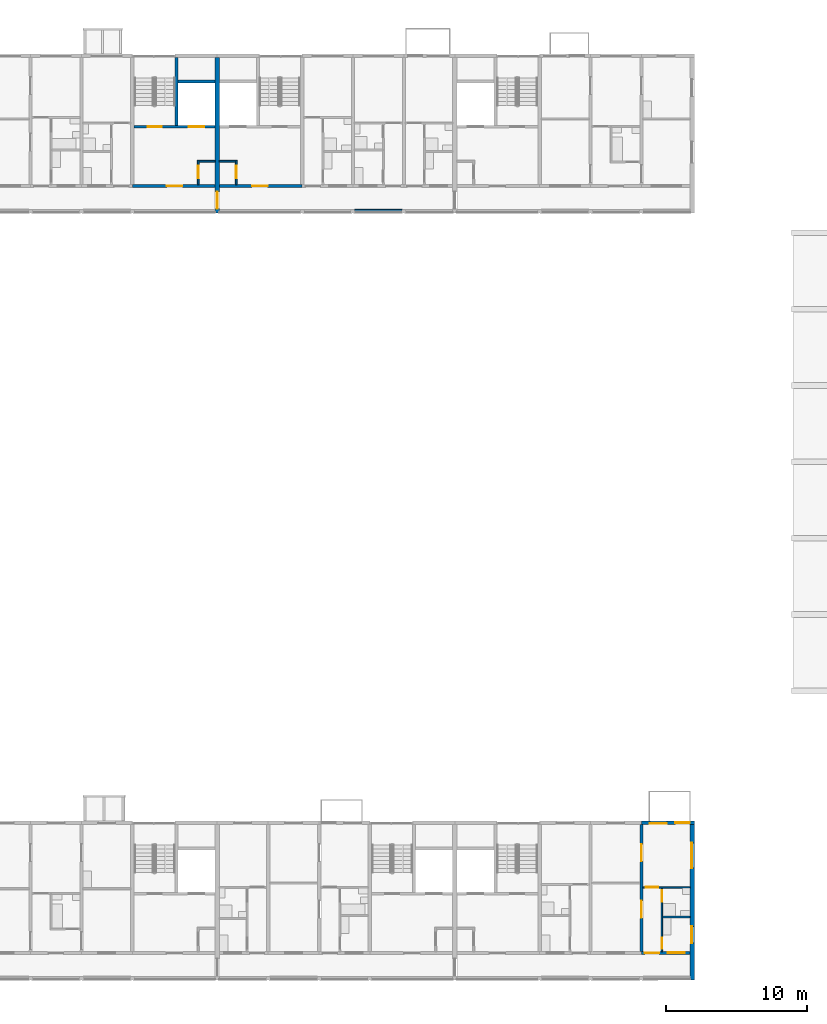
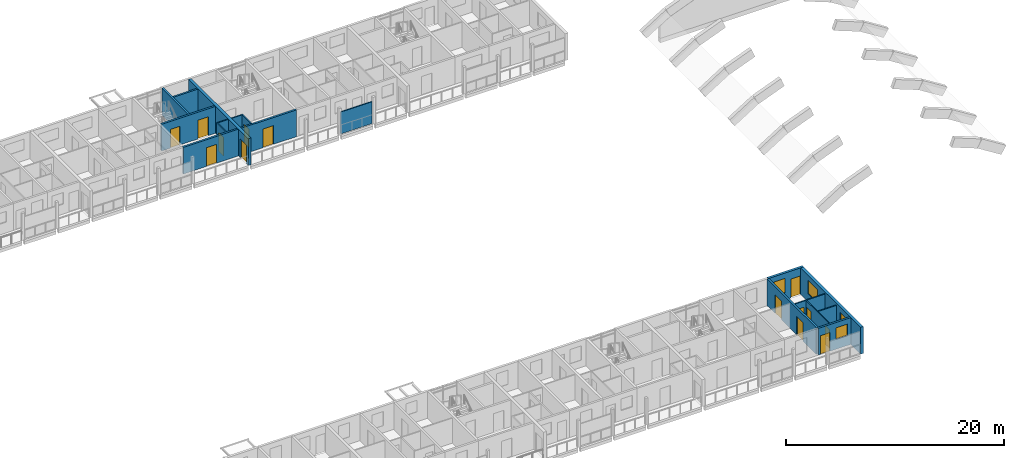
# One storey, part 39 of 99: 18 walls, 14 doors, 4 windows, 18 openings.
"""IFC4 building model written with IfcOpenShell, lengths in metres."""

from ifc_helpers import new_model, si_unit, direction, frame, frame_2d, origin, place, context, subcontext, project, spatial, rectangle, extrude, material, layer, layer_set, type_object, element, fill, save


model = new_model("IFC4")

# Units and contexts
model_context = context("Model", 3, precision=1e-05, world=origin(), true_north=direction((0.0, 1.0)))
body_context = subcontext(model_context, "Body", "Model", "MODEL_VIEW")
ifc_project = project(units=[si_unit("LENGTHUNIT", "METRE"), si_unit("AREAUNIT", "SQUARE_METRE"), si_unit("VOLUMEUNIT", "CUBIC_METRE"), si_unit("PLANEANGLEUNIT", "RADIAN"), si_unit("MASSUNIT", "GRAM", prefix="KILO")], contexts=[model_context])

# Site, building, storey
site_placement = place(None, origin())
site = spatial("IfcSite", under=ifc_project, at=site_placement, CompositionType="ELEMENT")
building_placement = place(site_placement, origin())
building = spatial("IfcBuilding", under=site, at=building_placement, Name="Ridgestep Commons", CompositionType="ELEMENT")
storey_placement = place(building_placement, frame((0.0, 0.0, 15.0)))
storey = spatial("IfcBuildingStorey", under=building, at=storey_placement, Name="L05", CompositionType="ELEMENT", Elevation=15.0)

# Wall, opening, door
ifc_material_1 = material(Name="Concrete C30/37", Category="concrete")
ifc_layer_1 = layer(ifc_material_1, 0.199951171875)
ifc_layer_set_1 = layer_set([ifc_layer_1], Name="Core south wall 200")
wall_type_1 = type_object("IfcWallType", Name="Core south wall 200", PredefinedType="SHEAR", material=ifc_layer_set_1)
wall_1_placement = place(storey_placement, frame((73.199951171875, 67.89990234375, 0.0), z_axis=(0.0, 0.0, 1.0), x_axis=(1.0, 0.0, 0.0)))
wall_1 = element("IfcWall", 1, at=wall_1_placement, inside=storey, type_object=wall_type_1, Name="Core south wall B4C L05", PredefinedType="SHEAR", context=body_context, shape_type="SweptSolid", body=[
    extrude(rectangle(XDim=5.85009765625, YDim=0.199951171875, at=frame_2d((2.925048828125, 0.0))), origin(), (0.0, 0.0, 1.0), 3.0),
])
opening_1_placement = place(wall_1_placement, frame((2.4375, 0.0, 0.0)))
opening_1 = element("IfcOpeningElement", 2, at=opening_1_placement, cuts=wall_1, Name="Opening B4C/05/1", PredefinedType="OPENING", context=body_context, shape_type="SweptSolid", body=[
    extrude(rectangle(XDim=1.10009765625, YDim=2.10009765625, at=frame_2d((0.550048828125, 1.050048828125))), frame((0.0, 0.10986328125, 0.0), z_axis=(0.0, -1.0, 0.0), x_axis=(1.0, 0.0, 0.0)), (0.0, 0.0, 1.0), 0.219970703125),
])
ifc_material_2 = material(Name="Steel fire door", Category="steel")
door_type_1 = type_object("IfcDoorType", Name="Lobby door 1100 x 2100 FD60", OperationType="NOTDEFINED", PredefinedType="DOOR", material=ifc_material_2)
door_1_placement = place(opening_1_placement, origin())
door_1 = element("IfcDoor", 3, at=door_1_placement, inside=storey, type_object=door_type_1, Name="Lobby door B4C/05/1", OperationType="SINGLE_SWING_LEFT", OverallHeight=2.10009765625, OverallWidth=1.10009765625, PredefinedType="DOOR", context=body_context, shape_type="SweptSolid", body=[
    extrude(rectangle(XDim=1.10009765625, YDim=2.10009765625, at=frame_2d((0.550048828125, 1.050048828125))), frame((0.0, 0.02490234375, 0.0), z_axis=(0.0, -1.0, 0.0), x_axis=(1.0, 0.0, 0.0)), (0.0, 0.0, 1.0), 0.050048828125),
])
fill(opening_1, door_1)

wall_2_placement = place(storey_placement, frame((79.35009765625, 67.89990234375, 0.0), z_axis=(0.0, 0.0, 1.0), x_axis=(1.0, 0.0, 0.0)))
wall_2 = element("IfcWall", 4, at=wall_2_placement, inside=storey, type_object=wall_type_1, Name="Core south wall B5C L05", PredefinedType="SHEAR", context=body_context, shape_type="SweptSolid", body=[
    extrude(rectangle(XDim=5.849853515625, YDim=0.199951171875, at=frame_2d((2.9248046875, 0.0))), origin(), (0.0, 0.0, 1.0), 3.0),
])
opening_2_placement = place(wall_2_placement, frame((2.3125, 0.0, 0.0)))
opening_2 = element("IfcOpeningElement", 5, at=opening_2_placement, cuts=wall_2, Name="Opening B5C/05/1", PredefinedType="OPENING", context=body_context, shape_type="SweptSolid", body=[
    extrude(rectangle(XDim=1.10009765625, YDim=2.10009765625, at=frame_2d((0.550048828125, 1.050048828125))), frame((0.0, 0.10986328125, 0.0), z_axis=(0.0, -1.0, 0.0), x_axis=(1.0, 0.0, 0.0)), (0.0, 0.0, 1.0), 0.219970703125),
])
door_2_placement = place(opening_2_placement, origin())
door_2 = element("IfcDoor", 6, at=door_2_placement, inside=storey, type_object=door_type_1, Name="Lobby door B5C/05/1", OperationType="SINGLE_SWING_LEFT", OverallHeight=2.10009765625, OverallWidth=1.10009765625, PredefinedType="DOOR", context=body_context, shape_type="SweptSolid", body=[
    extrude(rectangle(XDim=1.10009765625, YDim=2.10009765625, at=frame_2d((0.550048828125, 1.050048828125))), frame((0.0, 0.02490234375, 0.0), z_axis=(0.0, -1.0, 0.0), x_axis=(1.0, 0.0, 0.0)), (0.0, 0.0, 1.0), 0.050048828125),
])
fill(opening_2, door_2)

ifc_material_3 = material(Name="Concrete C30/37", Category="concrete")
ifc_layer_2 = layer(ifc_material_3, 0.1201171875)
ifc_layer_set_2 = layer_set([ifc_layer_2], Name="Core wall 120")
wall_type_2 = type_object("IfcWallType", Name="Core wall 120", PredefinedType="SHEAR", material=ifc_layer_set_2)
wall_3_placement = place(storey_placement, frame((77.860107421875, 68.0, 0.0), z_axis=(0.0, 0.0, 1.0), x_axis=(0.0, 1.0, 0.0)))
wall_3 = element("IfcWall", 7, at=wall_3_placement, inside=storey, type_object=wall_type_2, Name="Core riser w wall B4C L05", PredefinedType="SHEAR", context=body_context, shape_type="SweptSolid", body=[
    extrude(rectangle(XDim=1.719970703125, YDim=0.1201171875, at=frame_2d((0.85986328125, 0.0))), origin(), (0.0, 0.0, 1.0), 3.0),
])
opening_3_placement = place(wall_3_placement, frame((0.449951171875, 0.0, 0.0)))
opening_3 = element("IfcOpeningElement", 8, at=opening_3_placement, cuts=wall_3, Name="Opening B4C/05/4", PredefinedType="OPENING", context=body_context, shape_type="SweptSolid", body=[
    extrude(rectangle(XDim=0.89990234375, YDim=2.10009765625, at=frame_2d((0.449951171875, 1.050048828125))), frame((0.0, 0.070068359375, 0.0), z_axis=(0.0, -1.0, 0.0), x_axis=(1.0, 0.0, 0.0)), (0.0, 0.0, 1.0), 0.14013671875),
])
ifc_material_4 = material(Name="Steel fire door", Category="steel")
door_type_2 = type_object("IfcDoorType", Name="Riser door 900 x 2100 FD60", OperationType="NOTDEFINED", PredefinedType="DOOR", material=ifc_material_4)
door_3_placement = place(opening_3_placement, origin())
door_3 = element("IfcDoor", 9, at=door_3_placement, inside=storey, type_object=door_type_2, Name="Riser door B4C/05/4", OperationType="SINGLE_SWING_LEFT", OverallHeight=2.10009765625, OverallWidth=0.89990234375, PredefinedType="DOOR", context=body_context, shape_type="SweptSolid", body=[
    extrude(rectangle(XDim=0.89990234375, YDim=2.10009765625, at=frame_2d((0.449951171875, 1.050048828125))), frame((0.0, 0.02490234375, 0.0), z_axis=(0.0, -1.0, 0.0), x_axis=(1.0, 0.0, 0.0)), (0.0, 0.0, 1.0), 0.050048828125),
])
fill(opening_3, door_3)

# Wall
wall_4_placement = place(storey_placement, frame((77.919921875, 69.659912109375, 0.0), z_axis=(0.0, 0.0, 1.0), x_axis=(1.0, 0.0, 0.0)))
element("IfcWall", 10, at=wall_4_placement, inside=storey, type_object=wall_type_2, Name="Core riser n wall B4C L05", PredefinedType="SHEAR", context=body_context, shape_type="SweptSolid", body=[
    extrude(rectangle(XDim=1.130126953125, YDim=0.1201171875, at=frame_2d((0.56494140625, 0.0))), origin(), (0.0, 0.0, 1.0), 3.0),
])

# Wall, opening, door
wall_5_placement = place(storey_placement, frame((80.5400390625, 68.0, 0.0), z_axis=(0.0, 0.0, 1.0), x_axis=(0.0, 1.0, 0.0)))
wall_5 = element("IfcWall", 11, at=wall_5_placement, inside=storey, type_object=wall_type_2, Name="Core riser w wall B5C L05", PredefinedType="SHEAR", context=body_context, shape_type="SweptSolid", body=[
    extrude(rectangle(XDim=1.719970703125, YDim=0.1201171875, at=frame_2d((0.85986328125, 0.0))), origin(), (0.0, 0.0, 1.0), 3.0),
])
opening_4_placement = place(wall_5_placement, frame((0.449951171875, 0.0, 0.0)))
opening_4 = element("IfcOpeningElement", 12, at=opening_4_placement, cuts=wall_5, Name="Opening B5C/05/4", PredefinedType="OPENING", context=body_context, shape_type="SweptSolid", body=[
    extrude(rectangle(XDim=0.89990234375, YDim=2.10009765625, at=frame_2d((0.449951171875, 1.050048828125))), frame((0.0, 0.070068359375, 0.0), z_axis=(0.0, -1.0, 0.0), x_axis=(1.0, 0.0, 0.0)), (0.0, 0.0, 1.0), 0.14013671875),
])
door_4_placement = place(opening_4_placement, origin())
door_4 = element("IfcDoor", 13, at=door_4_placement, inside=storey, type_object=door_type_2, Name="Riser door B5C/05/4", OperationType="SINGLE_SWING_RIGHT", OverallHeight=2.10009765625, OverallWidth=0.89990234375, PredefinedType="DOOR", context=body_context, shape_type="SweptSolid", body=[
    extrude(rectangle(XDim=0.89990234375, YDim=2.10009765625, at=frame_2d((0.449951171875, 1.050048828125))), frame((0.0, 0.02490234375, 0.0), z_axis=(0.0, -1.0, 0.0), x_axis=(1.0, 0.0, 0.0)), (0.0, 0.0, 1.0), 0.050048828125),
])
fill(opening_4, door_4)

# Wall
wall_6_placement = place(storey_placement, frame((79.35009765625, 69.659912109375, 0.0), z_axis=(0.0, 0.0, 1.0), x_axis=(1.0, 0.0, 0.0)))
element("IfcWall", 14, at=wall_6_placement, inside=storey, type_object=wall_type_2, Name="Core riser n wall B5C L05", PredefinedType="SHEAR", context=body_context, shape_type="SweptSolid", body=[
    extrude(rectangle(XDim=1.1298828125, YDim=0.1201171875, at=frame_2d((0.56494140625, 0.0))), origin(), (0.0, 0.0, 1.0), 3.0),
])

# Wall, openings, doors
ifc_material_5 = material(Name="Concrete C30/37", Category="concrete")
ifc_layer_3 = layer(ifc_material_5, 0.199951171875)
ifc_layer_set_3 = layer_set([ifc_layer_3], Name="Core wall 200")
wall_type_3 = type_object("IfcWallType", Name="Core wall 200", PredefinedType="SHEAR", material=ifc_layer_set_3)
wall_7_placement = place(storey_placement, frame((73.324951171875, 72.10009765625, 0.0), z_axis=(0.0, 0.0, 1.0), x_axis=(1.0, 0.0, 0.0)))
wall_7 = element("IfcWall", 15, at=wall_7_placement, inside=storey, type_object=wall_type_3, Name="Core lobby wall B4C L05", PredefinedType="SHEAR", context=body_context, shape_type="SweptSolid", body=[
    extrude(rectangle(XDim=5.72509765625, YDim=0.199951171875, at=frame_2d((2.862548828125, 0.0))), origin(), (0.0, 0.0, 1.0), 3.0),
])
opening_5_placement = place(wall_7_placement, frame((0.949951171875, 0.0, 0.0)))
opening_5 = element("IfcOpeningElement", 16, at=opening_5_placement, cuts=wall_7, Name="Opening B4C/05/2", PredefinedType="OPENING", context=body_context, shape_type="SweptSolid", body=[
    extrude(rectangle(XDim=1.0, YDim=2.10009765625, at=frame_2d((0.5, 1.050048828125))), frame((0.0, 0.10986328125, 0.0), z_axis=(0.0, -1.0, 0.0), x_axis=(1.0, 0.0, 0.0)), (0.0, 0.0, 1.0), 0.219970703125),
])
opening_6_placement = place(wall_7_placement, frame((3.862548828125, 0.0, 0.0)))
opening_6 = element("IfcOpeningElement", 17, at=opening_6_placement, cuts=wall_7, Name="Opening B4C/05/3", PredefinedType="OPENING", context=body_context, shape_type="SweptSolid", body=[
    extrude(rectangle(XDim=1.10009765625, YDim=2.10009765625, at=frame_2d((0.550048828125, 1.050048828125))), frame((0.0, 0.10986328125, 0.0), z_axis=(0.0, -1.0, 0.0), x_axis=(1.0, 0.0, 0.0)), (0.0, 0.0, 1.0), 0.219970703125),
])
ifc_material_6 = material(Name="Stainless steel", Category="steel")
door_type_3 = type_object("IfcDoorType", Name="Lift landing door 1100 x 2100 FD60", OperationType="DOUBLE_DOOR_SLIDING", PredefinedType="DOOR", material=ifc_material_6)
door_5_placement = place(opening_6_placement, origin())
door_5 = element("IfcDoor", 18, at=door_5_placement, inside=storey, type_object=door_type_3, Name="Landing door LD B4C L05", OperationType="DOUBLE_DOOR_SLIDING", OverallHeight=2.10009765625, OverallWidth=1.10009765625, PredefinedType="DOOR", context=body_context, shape_type="SweptSolid", body=[
    extrude(rectangle(XDim=1.10009765625, YDim=2.10009765625, at=frame_2d((0.550048828125, 1.050048828125))), frame((0.0, 0.02490234375, 0.0), z_axis=(0.0, -1.0, 0.0), x_axis=(1.0, 0.0, 0.0)), (0.0, 0.0, 1.0), 0.050048828125),
])
fill(opening_6, door_5)
ifc_material_7 = material(Name="Steel fire door", Category="steel")
door_type_4 = type_object("IfcDoorType", Name="Stair door 1000 x 2100 FD60", OperationType="NOTDEFINED", PredefinedType="DOOR", material=ifc_material_7)
door_6_placement = place(opening_5_placement, origin())
door_6 = element("IfcDoor", 19, at=door_6_placement, inside=storey, type_object=door_type_4, Name="Stair door B4C/05/2", OperationType="SINGLE_SWING_RIGHT", OverallHeight=2.10009765625, OverallWidth=1.0, PredefinedType="DOOR", context=body_context, shape_type="SweptSolid", body=[
    extrude(rectangle(XDim=1.0, YDim=2.10009765625, at=frame_2d((0.5, 1.050048828125))), frame((0.0, 0.02490234375, 0.0), z_axis=(0.0, -1.0, 0.0), x_axis=(1.0, 0.0, 0.0)), (0.0, 0.0, 1.0), 0.050048828125),
])
fill(opening_5, door_6)

# Walls
wall_8_placement = place(storey_placement, frame((76.324951171875, 72.199951171875, 0.0), z_axis=(0.0, 0.0, 1.0), x_axis=(0.0, 1.0, 0.0)))
element("IfcWall", 20, at=wall_8_placement, inside=storey, type_object=wall_type_3, Name="Core stair wall B4C L05", PredefinedType="SHEAR", context=body_context, shape_type="SweptSolid", body=[
    extrude(rectangle(XDim=4.800048828125, YDim=0.199951171875, at=frame_2d((2.39990234375, 0.0))), origin(), (0.0, 0.0, 1.0), 3.0),
])
wall_9_placement = place(storey_placement, frame((76.425048828125, 75.300048828125, 0.0), z_axis=(0.0, 0.0, 1.0), x_axis=(1.0, 0.0, 0.0)))
element("IfcWall", 21, at=wall_9_placement, inside=storey, type_object=wall_type_3, Name="Core duct wall B4C L05", PredefinedType="SHEAR", context=body_context, shape_type="SweptSolid", body=[
    extrude(rectangle(XDim=2.625, YDim=0.199951171875, at=frame_2d((1.3125, 0.0))), origin(), (0.0, 0.0, 1.0), 3.0),
])

# Wall, openings, doors
ifc_material_8 = material(Name="Precast concrete C40/50", Category="concrete")
ifc_layer_4 = layer(ifc_material_8, 0.199951171875)
ifc_layer_set_4 = layer_set([ifc_layer_4], Name="Cross wall 200")
wall_type_4 = type_object("IfcWallType", Name="Cross wall 200", PredefinedType="SHEAR", material=ifc_layer_set_4)
wall_10_placement = place(storey_placement, frame((109.199951171875, 13.75, 0.0), z_axis=(0.0, 0.0, 1.0), x_axis=(0.0, 1.0, 0.0)))
wall_10 = element("IfcWall", 22, at=wall_10_placement, inside=storey, type_object=wall_type_4, Name="Cross wall A-05-1092", PredefinedType="SHEAR", context=body_context, shape_type="SweptSolid", body=[
    extrude(rectangle(XDim=9.0, YDim=0.199951171875, at=frame_2d((4.5, 0.0))), origin(), (0.0, 0.0, 1.0), 3.0),
])
opening_7_placement = place(wall_10_placement, frame((2.39990234375, 0.0, 0.0)))
opening_7 = element("IfcOpeningElement", 23, at=opening_7_placement, cuts=wall_10, Name="Opening A6-05a/5", PredefinedType="OPENING", context=body_context, shape_type="SweptSolid", body=[
    extrude(rectangle(XDim=1.199951171875, YDim=2.10009765625, at=frame_2d((0.60009765625, 1.050048828125))), frame((0.0, 0.10986328125, 0.0), z_axis=(0.0, -1.0, 0.0), x_axis=(1.0, 0.0, 0.0)), (0.0, 0.0, 1.0), 0.219970703125),
])
opening_8_placement = place(wall_10_placement, frame((6.39990234375, 0.0, 0.0)))
opening_8 = element("IfcOpeningElement", 24, at=opening_8_placement, cuts=wall_10, Name="Opening A6-05a/6", PredefinedType="OPENING", context=body_context, shape_type="SweptSolid", body=[
    extrude(rectangle(XDim=1.199951171875, YDim=2.10009765625, at=frame_2d((0.60009765625, 1.050048828125))), frame((0.0, 0.10986328125, 0.0), z_axis=(0.0, -1.0, 0.0), x_axis=(1.0, 0.0, 0.0)), (0.0, 0.0, 1.0), 0.219970703125),
])
ifc_material_9 = material(Name="Timber door leaf", Category="wood")
door_type_5 = type_object("IfcDoorType", Name="Double door 1200 x 2100", OperationType="DOUBLE_DOOR_SINGLE_SWING", PredefinedType="DOOR", material=ifc_material_9)
door_7_placement = place(opening_7_placement, origin())
door_7 = element("IfcDoor", 25, at=door_7_placement, inside=storey, type_object=door_type_5, Name="Double door A6-05a/5", OperationType="DOUBLE_DOOR_SINGLE_SWING", OverallHeight=2.10009765625, OverallWidth=1.199951171875, PredefinedType="DOOR", context=body_context, shape_type="SweptSolid", body=[
    extrude(rectangle(XDim=1.199951171875, YDim=2.10009765625, at=frame_2d((0.60009765625, 1.050048828125))), frame((0.0, 0.02490234375, 0.0), z_axis=(0.0, -1.0, 0.0), x_axis=(1.0, 0.0, 0.0)), (0.0, 0.0, 1.0), 0.050048828125),
])
fill(opening_7, door_7)
door_8_placement = place(opening_8_placement, origin())
door_8 = element("IfcDoor", 26, at=door_8_placement, inside=storey, type_object=door_type_5, Name="Double door A6-05a/6", OperationType="DOUBLE_DOOR_SINGLE_SWING", OverallHeight=2.10009765625, OverallWidth=1.199951171875, PredefinedType="DOOR", context=body_context, shape_type="SweptSolid", body=[
    extrude(rectangle(XDim=1.199951171875, YDim=2.10009765625, at=frame_2d((0.60009765625, 1.050048828125))), frame((0.0, 0.02490234375, 0.0), z_axis=(0.0, -1.0, 0.0), x_axis=(1.0, 0.0, 0.0)), (0.0, 0.0, 1.0), 0.050048828125),
])
fill(opening_8, door_8)

# Wall, opening, door
ifc_material_10 = material(Name="Precast concrete C40/50", Category="concrete")
ifc_layer_5 = layer(ifc_material_10, 0.300048828125)
ifc_layer_set_5 = layer_set([ifc_layer_5], Name="Division wall 300")
wall_type_5 = type_object("IfcWallType", Name="Division wall 300", PredefinedType="SHEAR", material=ifc_layer_set_5)
wall_11_placement = place(storey_placement, frame((79.199951171875, 66.0, 0.0), z_axis=(0.0, 0.0, 1.0), x_axis=(0.0, 1.0, 0.0)))
wall_11 = element("IfcWall", 27, at=wall_11_placement, inside=storey, type_object=wall_type_5, Name="Cross wall B-05-0792", PredefinedType="SHEAR", context=body_context, shape_type="SweptSolid", body=[
    extrude(rectangle(XDim=11.0, YDim=0.300048828125, at=frame_2d((5.5, 0.0))), origin(), (0.0, 0.0, 1.0), 3.0),
])
opening_9_placement = place(wall_11_placement, frame((0.300048828125, 0.0, 0.0)))
opening_9 = element("IfcOpeningElement", 28, at=opening_9_placement, cuts=wall_11, Name="Opening B/05/G0792", PredefinedType="OPENING", context=body_context, shape_type="SweptSolid", body=[
    extrude(rectangle(XDim=1.199951171875, YDim=2.10009765625, at=frame_2d((0.60009765625, 1.050048828125))), frame((0.0, 0.159912109375, 0.0), z_axis=(0.0, -1.0, 0.0), x_axis=(1.0, 0.0, 0.0)), (0.0, 0.0, 1.0), 0.320068359375),
])
ifc_material_11 = material(Name="Steel fire door", Category="steel")
door_type_6 = type_object("IfcDoorType", Name="Division fire door 1200 x 2100 EI 240", OperationType="DOUBLE_DOOR_SINGLE_SWING", PredefinedType="DOOR", material=ifc_material_11)
door_9_placement = place(opening_9_placement, origin())
door_9 = element("IfcDoor", 29, at=door_9_placement, inside=storey, type_object=door_type_6, Name="Division fire door B/05/G0792", OperationType="DOUBLE_DOOR_SINGLE_SWING", OverallHeight=2.10009765625, OverallWidth=1.199951171875, PredefinedType="DOOR", context=body_context, shape_type="SweptSolid", body=[
    extrude(rectangle(XDim=1.199951171875, YDim=2.10009765625, at=frame_2d((0.60009765625, 1.050048828125))), frame((0.0, 0.02490234375, 0.0), z_axis=(0.0, -1.0, 0.0), x_axis=(1.0, 0.0, 0.0)), (0.0, 0.0, 1.0), 0.050048828125),
])
fill(opening_9, door_9)

# Wall, openings, windows
ifc_material_12 = material(Name="Precast concrete C40/50", Category="concrete")
ifc_layer_6 = layer(ifc_material_12, 0.300048828125)
ifc_layer_set_6 = layer_set([ifc_layer_6], Name="Exposed division wall 300")
wall_type_6 = type_object("IfcWallType", Name="Exposed division wall 300", PredefinedType="SHEAR", material=ifc_layer_set_6)
wall_12_placement = place(storey_placement, frame((112.800048828125, 11.75, 0.0), z_axis=(0.0, 0.0, 1.0), x_axis=(0.0, 1.0, 0.0)))
wall_12 = element("IfcWall", 30, at=wall_12_placement, inside=storey, type_object=wall_type_6, Name="Cross wall A-05-1128", PredefinedType="SHEAR", context=body_context, shape_type="SweptSolid", body=[
    extrude(rectangle(XDim=11.0, YDim=0.300048828125, at=frame_2d((5.5, 0.0))), origin(), (0.0, 0.0, 1.0), 3.0),
])
opening_10_placement = place(wall_12_placement, frame((2.60009765625, 0.0, 0.89990234375)))
opening_10 = element("IfcOpeningElement", 31, at=opening_10_placement, cuts=wall_12, Name="Opening W10", PredefinedType="OPENING", context=body_context, shape_type="SweptSolid", body=[
    extrude(rectangle(XDim=1.199951171875, YDim=1.5, at=frame_2d((0.60009765625, 0.75))), frame((0.0, 0.159912109375, 0.0), z_axis=(0.0, -1.0, 0.0), x_axis=(1.0, 0.0, 0.0)), (0.0, 0.0, 1.0), 0.320068359375),
])
opening_11_placement = place(wall_12_placement, frame((7.905029296875, 0.0, 0.89990234375)))
opening_11 = element("IfcOpeningElement", 32, at=opening_11_placement, cuts=wall_12, Name="Opening W20", PredefinedType="OPENING", context=body_context, shape_type="SweptSolid", body=[
    extrude(rectangle(XDim=1.800048828125, YDim=1.5, at=frame_2d((0.89990234375, 0.75))), frame((0.0, 0.159912109375, 0.0), z_axis=(0.0, -1.0, 0.0), x_axis=(1.0, 0.0, 0.0)), (0.0, 0.0, 1.0), 0.320068359375),
])
ifc_material_13 = material(Name="Aluminium 6063-T6 and glass", Category="aluminium")
window_type_1 = type_object("IfcWindowType", Name="Flat window 1200 x 1500", PartitioningType="SINGLE_PANEL", PredefinedType="WINDOW", material=ifc_material_13)
window_1_placement = place(opening_10_placement, origin())
window_1 = element("IfcWindow", 33, at=window_1_placement, inside=storey, type_object=window_type_1, Name="Window A6-05a 5", OverallHeight=1.5, OverallWidth=1.199951171875, PartitioningType="SINGLE_PANEL", PredefinedType="WINDOW", context=body_context, shape_type="SweptSolid", body=[
    extrude(rectangle(XDim=1.199951171875, YDim=1.5, at=frame_2d((0.60009765625, 0.75))), frame((0.0, 0.06005859375, 0.0), z_axis=(0.0, -1.0, 0.0), x_axis=(1.0, 0.0, 0.0)), (0.0, 0.0, 1.0), 0.06005859375),
])
fill(opening_10, window_1)
ifc_material_14 = material(Name="Aluminium 6063-T6 and glass", Category="aluminium")
window_type_2 = type_object("IfcWindowType", Name="Flat window 1800 x 1500", PartitioningType="DOUBLE_PANEL_VERTICAL", PredefinedType="WINDOW", material=ifc_material_14)
window_2_placement = place(opening_11_placement, origin())
window_2 = element("IfcWindow", 34, at=window_2_placement, inside=storey, type_object=window_type_2, Name="Window A6-05a 6", OverallHeight=1.5, OverallWidth=1.800048828125, PartitioningType="SINGLE_PANEL", PredefinedType="WINDOW", context=body_context, shape_type="SweptSolid", body=[
    extrude(rectangle(XDim=1.800048828125, YDim=1.5, at=frame_2d((0.89990234375, 0.75))), frame((0.0, 0.06005859375, 0.0), z_axis=(0.0, -1.0, 0.0), x_axis=(1.0, 0.0, 0.0)), (0.0, 0.0, 1.0), 0.06005859375),
])
fill(opening_11, window_2)

# Wall, openings, door, window
ifc_material_15 = material(Name="Precast concrete C40/50", Category="concrete")
ifc_layer_7 = layer(ifc_material_15, 0.25)
ifc_layer_set_7 = layer_set([ifc_layer_7], Name="North facade panel 250")
wall_type_7 = type_object("IfcWallType", Name="North facade panel 250", PredefinedType="SOLIDWALL", material=ifc_layer_set_7)
wall_13_placement = place(storey_placement, frame((109.199951171875, 22.875, 0.0), z_axis=(0.0, 0.0, 1.0), x_axis=(1.0, 0.0, 0.0)))
wall_13 = element("IfcWall", 35, at=wall_13_placement, inside=storey, type_object=wall_type_7, Name="North panel A6T1 L05", PredefinedType="SOLIDWALL", context=body_context, shape_type="SweptSolid", body=[
    extrude(rectangle(XDim=3.75, YDim=0.25, at=frame_2d((1.875, 0.0))), origin(), (0.0, 0.0, 1.0), 3.0),
])
opening_12_placement = place(wall_13_placement, frame((0.603515625, 0.0, 0.800048828125)))
opening_12 = element("IfcOpeningElement", 36, at=opening_12_placement, cuts=wall_13, Name="Opening W11", PredefinedType="OPENING", context=body_context, shape_type="SweptSolid", body=[
    extrude(rectangle(XDim=1.199951171875, YDim=1.60009765625, at=frame_2d((0.60009765625, 0.800048828125))), frame((0.0, 0.135009765625, 0.0), z_axis=(0.0, -1.0, 0.0), x_axis=(1.0, 0.0, 0.0)), (0.0, 0.0, 1.0), 0.27001953125),
])
opening_13_placement = place(wall_13_placement, frame((2.406982421875, 0.0, 0.0)))
opening_13 = element("IfcOpeningElement", 37, at=opening_13_placement, cuts=wall_13, Name="Opening A6-05a/7", PredefinedType="OPENING", context=body_context, shape_type="SweptSolid", body=[
    extrude(rectangle(XDim=1.0, YDim=2.10009765625, at=frame_2d((0.5, 1.050048828125))), frame((0.0, 0.135009765625, 0.0), z_axis=(0.0, -1.0, 0.0), x_axis=(1.0, 0.0, 0.0)), (0.0, 0.0, 1.0), 0.27001953125),
])
ifc_material_16 = material(Name="Aluminium and glass", Category="aluminium")
door_type_7 = type_object("IfcDoorType", Name="Balcony door 1000 x 2100", OperationType="NOTDEFINED", PredefinedType="DOOR", material=ifc_material_16)
door_10_placement = place(opening_13_placement, origin())
door_10 = element("IfcDoor", 38, at=door_10_placement, inside=storey, type_object=door_type_7, Name="Balcony door A6-05a/7", OperationType="SINGLE_SWING_LEFT", OverallHeight=2.10009765625, OverallWidth=1.0, PredefinedType="DOOR", context=body_context, shape_type="SweptSolid", body=[
    extrude(rectangle(XDim=1.0, YDim=2.10009765625, at=frame_2d((0.5, 1.050048828125))), frame((0.0, 0.02490234375, 0.0), z_axis=(0.0, -1.0, 0.0), x_axis=(1.0, 0.0, 0.0)), (0.0, 0.0, 1.0), 0.050048828125),
])
fill(opening_13, door_10)
ifc_material_17 = material(Name="Aluminium 6063-T6 and glass", Category="aluminium")
window_type_3 = type_object("IfcWindowType", Name="Flat window 1200 x 1600", PartitioningType="SINGLE_PANEL", PredefinedType="WINDOW", material=ifc_material_17)
window_3_placement = place(opening_12_placement, origin())
window_3 = element("IfcWindow", 39, at=window_3_placement, inside=storey, type_object=window_type_3, Name="Window A6-05a 4", OverallHeight=1.60009765625, OverallWidth=1.199951171875, PartitioningType="SINGLE_PANEL", PredefinedType="WINDOW", context=body_context, shape_type="SweptSolid", body=[
    extrude(rectangle(XDim=1.199951171875, YDim=1.60009765625, at=frame_2d((0.60009765625, 0.800048828125))), frame((0.0, -0.02490234375, 0.0), z_axis=(0.0, -1.0, 0.0), x_axis=(1.0, 0.0, 0.0)), (0.0, 0.0, 1.0), 0.06005859375),
])
fill(opening_12, window_3)

# Wall, openings, doors
ifc_material_18 = material(Name="Common brick 110 mm", Category="masonry")
ifc_layer_8 = layer(ifc_material_18, 0.110107421875)
ifc_layer_set_8 = layer_set([ifc_layer_8], Name="Partition 110")
wall_type_8 = type_object("IfcWallType", Name="Partition 110", PredefinedType="PARTITIONING", material=ifc_layer_set_8)
wall_14_placement = place(storey_placement, frame((110.655029296875, 13.75, 0.0), z_axis=(0.0, 0.0, 1.0), x_axis=(0.0, 1.0, 0.0)))
wall_14 = element("IfcWall", 40, at=wall_14_placement, inside=storey, type_object=wall_type_8, Name="Partition A6-05a", PredefinedType="PARTITIONING", context=body_context, shape_type="SweptSolid", body=[
    extrude(rectangle(XDim=4.5, YDim=0.110107421875, at=frame_2d((2.25, 0.0))), origin(), (0.0, 0.0, 1.0), 2.800048828125),
])
opening_14_placement = place(wall_14_placement, frame((0.199951171875, 0.0, 0.0)))
opening_14 = element("IfcOpeningElement", 41, at=opening_14_placement, cuts=wall_14, Name="Opening A6-05a/2", PredefinedType="OPENING", context=body_context, shape_type="SweptSolid", body=[
    extrude(rectangle(XDim=0.800048828125, YDim=2.10009765625, at=frame_2d((0.39990234375, 1.050048828125))), frame((0.0, 0.06494140625, 0.0), z_axis=(0.0, -1.0, 0.0), x_axis=(1.0, 0.0, 0.0)), (0.0, 0.0, 1.0), 0.130126953125),
])
opening_15_placement = place(wall_14_placement, frame((3.550048828125, 0.0, 0.0)))
opening_15 = element("IfcOpeningElement", 42, at=opening_15_placement, cuts=wall_14, Name="Opening A6-05a/3", PredefinedType="OPENING", context=body_context, shape_type="SweptSolid", body=[
    extrude(rectangle(XDim=0.800048828125, YDim=2.10009765625, at=frame_2d((0.39990234375, 1.050048828125))), frame((0.0, 0.06494140625, 0.0), z_axis=(0.0, -1.0, 0.0), x_axis=(1.0, 0.0, 0.0)), (0.0, 0.0, 1.0), 0.130126953125),
])
ifc_material_19 = material(Name="Timber door leaf", Category="wood")
door_type_8 = type_object("IfcDoorType", Name="Internal door 800 x 2100", OperationType="NOTDEFINED", PredefinedType="DOOR", material=ifc_material_19)
door_11_placement = place(opening_14_placement, origin())
door_11 = element("IfcDoor", 43, at=door_11_placement, inside=storey, type_object=door_type_8, Name="Internal door A6-05a/2", OperationType="SINGLE_SWING_RIGHT", OverallHeight=2.10009765625, OverallWidth=0.800048828125, PredefinedType="DOOR", context=body_context, shape_type="SweptSolid", body=[
    extrude(rectangle(XDim=0.800048828125, YDim=2.10009765625, at=frame_2d((0.39990234375, 1.050048828125))), frame((0.0, 0.02490234375, 0.0), z_axis=(0.0, -1.0, 0.0), x_axis=(1.0, 0.0, 0.0)), (0.0, 0.0, 1.0), 0.050048828125),
])
fill(opening_14, door_11)
door_12_placement = place(opening_15_placement, origin())
door_12 = element("IfcDoor", 44, at=door_12_placement, inside=storey, type_object=door_type_8, Name="Internal door A6-05a/3", OperationType="SINGLE_SWING_LEFT", OverallHeight=2.10009765625, OverallWidth=0.800048828125, PredefinedType="DOOR", context=body_context, shape_type="SweptSolid", body=[
    extrude(rectangle(XDim=0.800048828125, YDim=2.10009765625, at=frame_2d((0.39990234375, 1.050048828125))), frame((0.0, 0.02490234375, 0.0), z_axis=(0.0, -1.0, 0.0), x_axis=(1.0, 0.0, 0.0)), (0.0, 0.0, 1.0), 0.050048828125),
])
fill(opening_15, door_12)

# Wall
wall_15_placement = place(storey_placement, frame((110.7099609375, 16.205078125, 0.0), z_axis=(0.0, 0.0, 1.0), x_axis=(1.0, 0.0, 0.0)))
element("IfcWall", 45, at=wall_15_placement, inside=storey, type_object=wall_type_8, Name="Partition A6-05a", PredefinedType="PARTITIONING", context=body_context, shape_type="SweptSolid", body=[
    extrude(rectangle(XDim=1.93994140625, YDim=0.110107421875, at=frame_2d((0.969970703125, 0.0))), origin(), (0.0, 0.0, 1.0), 2.800048828125),
])

# Wall, opening, door
wall_16_placement = place(storey_placement, frame((109.300048828125, 18.304931640625, 0.0), z_axis=(0.0, 0.0, 1.0), x_axis=(1.0, 0.0, 0.0)))
wall_16 = element("IfcWall", 46, at=wall_16_placement, inside=storey, type_object=wall_type_8, Name="Partition A6-05a", PredefinedType="PARTITIONING", context=body_context, shape_type="SweptSolid", body=[
    extrude(rectangle(XDim=3.349853515625, YDim=0.110107421875, at=frame_2d((1.6748046875, 0.0))), origin(), (0.0, 0.0, 1.0), 2.800048828125),
])
opening_16_placement = place(wall_16_placement, frame((0.199951171875, 0.0, 0.0)))
opening_16 = element("IfcOpeningElement", 47, at=opening_16_placement, cuts=wall_16, Name="Opening A6-05a/4", PredefinedType="OPENING", context=body_context, shape_type="SweptSolid", body=[
    extrude(rectangle(XDim=0.89990234375, YDim=2.10009765625, at=frame_2d((0.449951171875, 1.050048828125))), frame((0.0, 0.06494140625, 0.0), z_axis=(0.0, -1.0, 0.0), x_axis=(1.0, 0.0, 0.0)), (0.0, 0.0, 1.0), 0.130126953125),
])
ifc_material_20 = material(Name="Timber door leaf", Category="wood")
door_type_9 = type_object("IfcDoorType", Name="Internal door 900 x 2100", OperationType="NOTDEFINED", PredefinedType="DOOR", material=ifc_material_20)
door_13_placement = place(opening_16_placement, origin())
door_13 = element("IfcDoor", 48, at=door_13_placement, inside=storey, type_object=door_type_9, Name="Internal door A6-05a/4", OperationType="SINGLE_SWING_LEFT", OverallHeight=2.10009765625, OverallWidth=0.89990234375, PredefinedType="DOOR", context=body_context, shape_type="SweptSolid", body=[
    extrude(rectangle(XDim=0.89990234375, YDim=2.10009765625, at=frame_2d((0.449951171875, 1.050048828125))), frame((0.0, 0.02490234375, 0.0), z_axis=(0.0, -1.0, 0.0), x_axis=(1.0, 0.0, 0.0)), (0.0, 0.0, 1.0), 0.050048828125),
])
fill(opening_16, door_13)

# Wall
ifc_material_21 = material(Name="Precast concrete C30/37", Category="concrete")
ifc_layer_9 = layer(ifc_material_21, 0.10009765625)
ifc_layer_set_9 = layer_set([ifc_layer_9], Name="Perforated gallery screen 3350 x 2450 x 100")
wall_type_9 = type_object("IfcWallType", Name="Perforated gallery screen 3350 x 2450 x 100", PredefinedType="SOLIDWALL", material=ifc_layer_set_9)
wall_17_placement = place(storey_placement, frame((88.925048828125, 66.199951171875, 0.0), z_axis=(0.0, 0.0, 1.0), x_axis=(1.0, 0.0, 0.0)))
element("IfcWall", 49, at=wall_17_placement, inside=storey, type_object=wall_type_9, Name="Gallery screen B5T2 05", PredefinedType="SOLIDWALL", context=body_context, shape_type="SweptSolid", body=[
    extrude(rectangle(XDim=3.349853515625, YDim=0.10009765625, at=frame_2d((1.6748046875, 0.0))), origin(), (0.0, 0.0, 1.0), 2.449951171875),
])

# Wall, openings, door, window
ifc_material_22 = material(Name="Precast concrete C40/50", Category="concrete")
ifc_layer_10 = layer(ifc_material_22, 0.199951171875)
ifc_layer_set_10 = layer_set([ifc_layer_10], Name="South facade panel 200")
wall_type_10 = type_object("IfcWallType", Name="South facade panel 200", PredefinedType="SOLIDWALL", material=ifc_layer_set_10)
wall_18_placement = place(storey_placement, frame((109.199951171875, 13.64990234375, 0.0), z_axis=(0.0, 0.0, 1.0), x_axis=(1.0, 0.0, 0.0)))
wall_18 = element("IfcWall", 50, at=wall_18_placement, inside=storey, type_object=wall_type_10, Name="South panel A6T1 L05", PredefinedType="SOLIDWALL", context=body_context, shape_type="SweptSolid", body=[
    extrude(rectangle(XDim=3.449951171875, YDim=0.199951171875, at=frame_2d((1.72509765625, 0.0))), origin(), (0.0, 0.0, 1.0), 3.0),
])
opening_17_placement = place(wall_18_placement, frame((1.8798828125, 0.0, 1.10009765625)))
opening_17 = element("IfcOpeningElement", 51, at=opening_17_placement, cuts=wall_18, Name="Opening W08", PredefinedType="OPENING", context=body_context, shape_type="SweptSolid", body=[
    extrude(rectangle(XDim=1.199951171875, YDim=1.300048828125, at=frame_2d((0.60009765625, 0.64990234375))), frame((0.0, 0.10986328125, 0.0), z_axis=(0.0, -1.0, 0.0), x_axis=(1.0, 0.0, 0.0)), (0.0, 0.0, 1.0), 0.219970703125),
])
opening_18_placement = place(wall_18_placement, frame((0.25, 0.0, 0.0)))
opening_18 = element("IfcOpeningElement", 52, at=opening_18_placement, cuts=wall_18, Name="Opening A6-05a/1", PredefinedType="OPENING", context=body_context, shape_type="SweptSolid", body=[
    extrude(rectangle(XDim=1.0, YDim=2.10009765625, at=frame_2d((0.5, 1.050048828125))), frame((0.0, 0.10986328125, 0.0), z_axis=(0.0, -1.0, 0.0), x_axis=(1.0, 0.0, 0.0)), (0.0, 0.0, 1.0), 0.219970703125),
])
ifc_material_23 = material(Name="Timber door leaf", Category="wood")
door_type_10 = type_object("IfcDoorType", Name="Flat entrance door 1000 x 2100 FD30S", OperationType="NOTDEFINED", PredefinedType="DOOR", material=ifc_material_23)
door_14_placement = place(opening_18_placement, origin())
door_14 = element("IfcDoor", 53, at=door_14_placement, inside=storey, type_object=door_type_10, Name="Flat entrance door A6-05a/1", OperationType="SINGLE_SWING_LEFT", OverallHeight=2.10009765625, OverallWidth=1.0, PredefinedType="DOOR", context=body_context, shape_type="SweptSolid", body=[
    extrude(rectangle(XDim=1.0, YDim=2.10009765625, at=frame_2d((0.5, 1.050048828125))), frame((0.0, 0.02490234375, 0.0), z_axis=(0.0, -1.0, 0.0), x_axis=(1.0, 0.0, 0.0)), (0.0, 0.0, 1.0), 0.050048828125),
])
fill(opening_18, door_14)
ifc_material_24 = material(Name="Aluminium 6063-T6 and glass", Category="aluminium")
window_type_4 = type_object("IfcWindowType", Name="Flat window 1200 x 1300", PartitioningType="SINGLE_PANEL", PredefinedType="WINDOW", material=ifc_material_24)
window_4_placement = place(opening_17_placement, origin())
window_4 = element("IfcWindow", 54, at=window_4_placement, inside=storey, type_object=window_type_4, Name="Window A6-05a 3", OverallHeight=1.300048828125, OverallWidth=1.199951171875, PartitioningType="SINGLE_PANEL", PredefinedType="WINDOW", context=body_context, shape_type="SweptSolid", body=[
    extrude(rectangle(XDim=1.199951171875, YDim=1.300048828125, at=frame_2d((0.60009765625, 0.64990234375))), frame((0.0, 0.06005859375, 0.0), z_axis=(0.0, -1.0, 0.0), x_axis=(1.0, 0.0, 0.0)), (0.0, 0.0, 1.0), 0.06005859375),
])
fill(opening_17, window_4)

save(model, "model.ifc")
